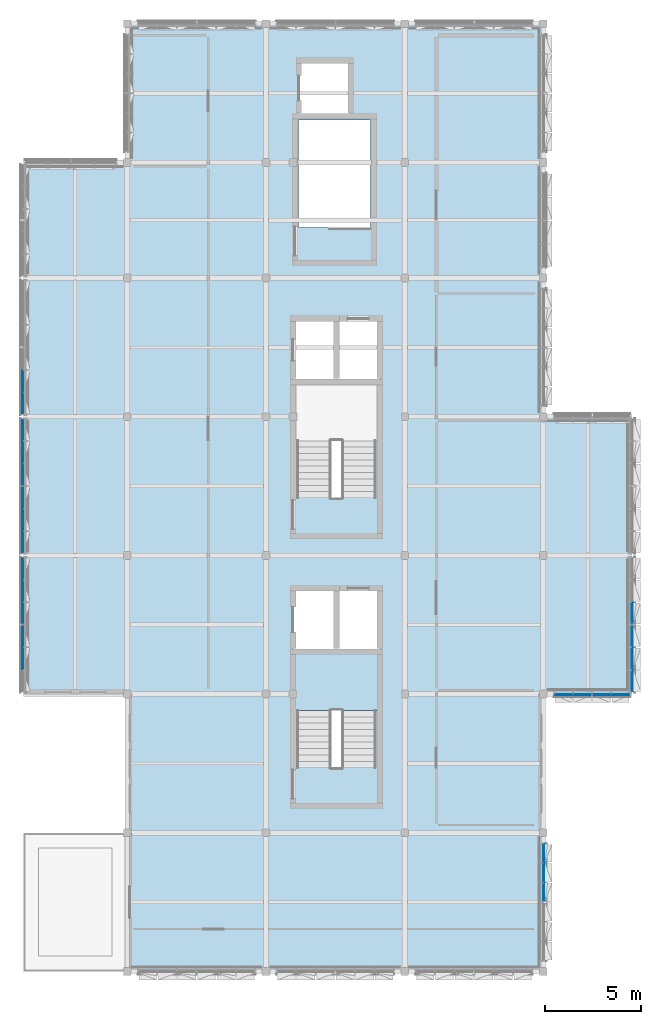
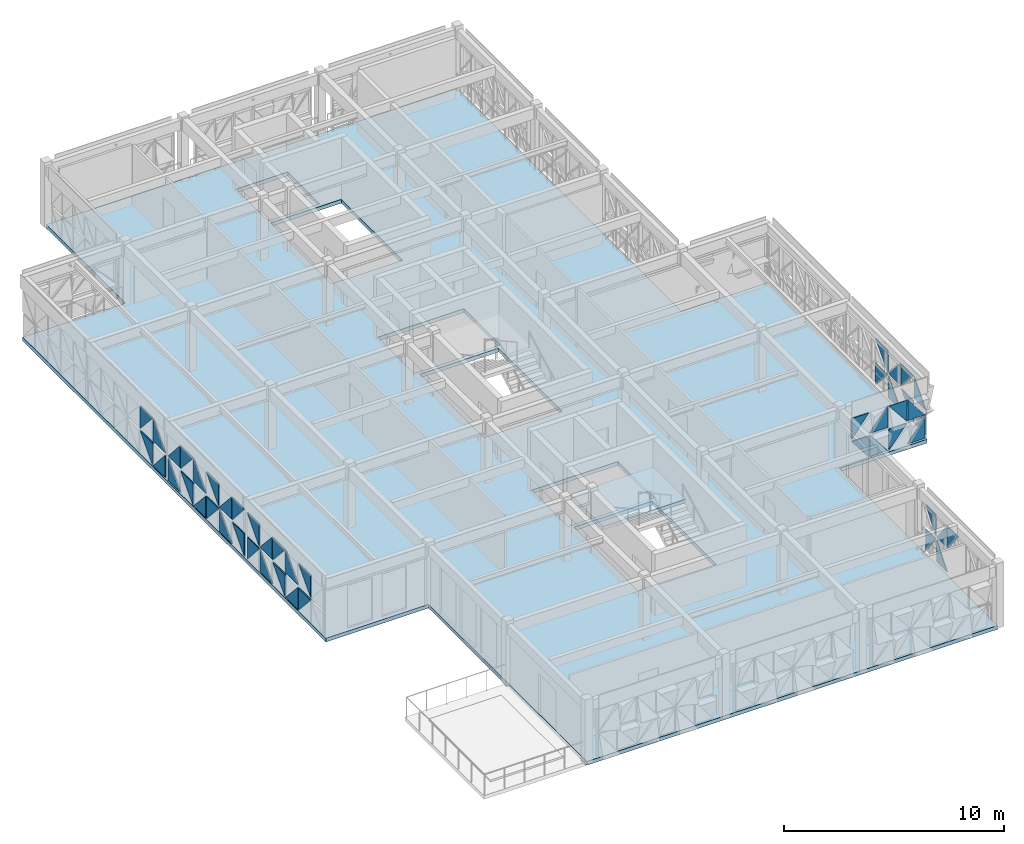
# One storey, part 12 of 25: 47 plates, 2 slabs, 7 elements without a shape of their own.
"""IFC4 building model written with IfcOpenShell, lengths in metres."""

from ifc_helpers import new_model, si_unit, direction, frame, origin, place, context, subcontext, project, spatial, polyline, outline, extrude, material, layer, layer_set, type_object, element, aggregate, save


model = new_model("IFC4")

# Units and contexts
model_context = context("Model", 3, precision=1e-05, world=origin(), true_north=direction((0.0, 1.0)))
body_context = subcontext(model_context, "Body", "Model", "MODEL_VIEW")
ifc_project = project(units=[si_unit("LENGTHUNIT", "METRE"), si_unit("AREAUNIT", "SQUARE_METRE"), si_unit("VOLUMEUNIT", "CUBIC_METRE"), si_unit("PLANEANGLEUNIT", "RADIAN"), si_unit("MASSUNIT", "GRAM", prefix="KILO")], contexts=[model_context])

# Site, building, storey
site_placement = place(None, origin())
site = spatial("IfcSite", under=ifc_project, at=site_placement, CompositionType="ELEMENT")
building_placement = place(site_placement, origin())
building = spatial("IfcBuilding", under=site, at=building_placement, Name="Alvorim Cloister Faculty of Sciences", CompositionType="ELEMENT")
storey_placement = place(building_placement, frame((0.0, 0.0, 29.699951171875)))
storey = spatial("IfcBuildingStorey", under=building, at=storey_placement, Name="L08", CompositionType="ELEMENT", Elevation=29.699951171875)

# Curtain wall, plates
ifc_material_1 = material(Name="Aluminium and Low-E Glass Curtain Wall", Category="aluminium")
curtain_wall_type_1 = type_object("IfcCurtainWallType", Name="CW-TRI-7040x2867", PredefinedType="USERDEFINED", material=ifc_material_1)
curtain_wall_1_placement = place(storey_placement, origin())
curtain_wall_1 = element("IfcCurtainWall", 1, at=curtain_wall_1_placement, inside=storey, type_object=curtain_wall_type_1, Name="L08 Diagonal Cassette Curtain Wall CW-0281", ObjectType="UNITISED CURTAIN WALL", PredefinedType="USERDEFINED")
ifc_material_2 = material(Name="Double Low-E Laminated Glass", Category="glass")
ifc_layer_1 = layer(ifc_material_2, 0.0400390625)
ifc_layer_set_1 = layer_set([ifc_layer_1], Name="Double Low-E Laminated Glass")
plate_type = type_object("IfcPlateType", Name="PN-GLZ-40", PredefinedType="CURTAIN_PANEL", material=ifc_layer_set_1)
plate_1_placement = place(storey_placement, frame((1.77490234375, 22.8857421875, 0.14013671875), z_axis=(0.0, 0.0, 1.0), x_axis=(0.0, 1.0, 0.0)))
plate_1 = element("IfcPlate", 2, at=plate_1_placement, type_object=plate_type, Name="Diagonal Glazed Triangle TRI-TR", PredefinedType="CURTAIN_PANEL", context=body_context, shape_type="SweptSolid", body=[
    extrude(outline(polyline([(1.1083984375, 0.001953125), (1.1083984375, 1.223388671875), (0.001953125, 1.223388671875), (1.1083984375, 0.001953125)])), frame((0.0, 0.02490234375, 0.0), z_axis=(0.0, -1.0, 0.0), x_axis=(1.0, 0.0, 0.0)), (0.0, 0.0, 1.0), 0.050048828125),
])
plate_2_placement = place(storey_placement, frame((1.77490234375, 22.8857421875, 1.503662109375), z_axis=(0.0, 0.0, 1.0), x_axis=(0.0, 1.0, 0.0)))
plate_2 = element("IfcPlate", 3, at=plate_2_placement, type_object=plate_type, Name="Diagonal Glazed Triangle TRI-TL", PredefinedType="CURTAIN_PANEL", context=body_context, shape_type="SweptSolid", body=[
    extrude(outline(polyline([(1.1064453125, 1.223388671875), (0.0, 1.223388671875), (0.0, 0.001953125), (1.1064453125, 1.223388671875)])), frame((0.0, 0.02490234375, 0.0), z_axis=(0.0, -1.0, 0.0), x_axis=(1.0, 0.0, 0.0)), (0.0, 0.0, 1.0), 0.050048828125),
])
plate_3_placement = place(storey_placement, frame((1.77490234375, 24.05908203125, 0.14013671875), z_axis=(0.0, 0.0, 1.0), x_axis=(0.0, 1.0, 0.0)))
plate_3 = element("IfcPlate", 4, at=plate_3_placement, type_object=plate_type, Name="Diagonal Glazed Triangle TRI-BL", PredefinedType="CURTAIN_PANEL", context=body_context, shape_type="SweptSolid", body=[
    extrude(outline(polyline([(0.0, 0.0), (1.1064453125, 0.0), (0.0, 1.221435546875), (0.0, 0.0)])), frame((0.0, 0.02490234375, 0.0), z_axis=(0.0, -1.0, 0.0), x_axis=(1.0, 0.0, 0.0)), (0.0, 0.0, 1.0), 0.050048828125),
])
plate_4_placement = place(storey_placement, frame((1.77490234375, 24.05908203125, 1.503662109375), z_axis=(0.0, 0.0, 1.0), x_axis=(0.0, 1.0, 0.0)))
plate_4 = element("IfcPlate", 5, at=plate_4_placement, type_object=plate_type, Name="Diagonal Glazed Triangle TRI-BR", PredefinedType="CURTAIN_PANEL", context=body_context, shape_type="SweptSolid", body=[
    extrude(outline(polyline([(0.001953125, 0.0), (1.1083984375, 0.0), (1.1083984375, 1.221435546875), (0.001953125, 0.0)])), frame((0.0, 0.02490234375, 0.0), z_axis=(0.0, -1.0, 0.0), x_axis=(1.0, 0.0, 0.0)), (0.0, 0.0, 1.0), 0.050048828125),
])
plate_5_placement = place(storey_placement, frame((1.77490234375, 25.232421875, 0.14013671875), z_axis=(0.0, 0.0, 1.0), x_axis=(0.0, 1.0, 0.0)))
plate_5 = element("IfcPlate", 6, at=plate_5_placement, type_object=plate_type, Name="Diagonal Glazed Triangle TRI-TL", PredefinedType="CURTAIN_PANEL", context=body_context, shape_type="SweptSolid", body=[
    extrude(outline(polyline([(1.1064453125, 1.223388671875), (0.0, 1.223388671875), (0.0, 0.001953125), (1.1064453125, 1.223388671875)])), frame((0.0, 0.02490234375, 0.0), z_axis=(0.0, -1.0, 0.0), x_axis=(1.0, 0.0, 0.0)), (0.0, 0.0, 1.0), 0.050048828125),
])
plate_6_placement = place(storey_placement, frame((1.77490234375, 25.232421875, 1.503662109375), z_axis=(0.0, 0.0, 1.0), x_axis=(0.0, 1.0, 0.0)))
plate_6 = element("IfcPlate", 7, at=plate_6_placement, type_object=plate_type, Name="Diagonal Glazed Triangle TRI-TR", PredefinedType="CURTAIN_PANEL", context=body_context, shape_type="SweptSolid", body=[
    extrude(outline(polyline([(1.1083984375, 0.001953125), (1.1083984375, 1.223388671875), (0.001953125, 1.223388671875), (1.1083984375, 0.001953125)])), frame((0.0, 0.02490234375, 0.0), z_axis=(0.0, -1.0, 0.0), x_axis=(1.0, 0.0, 0.0)), (0.0, 0.0, 1.0), 0.050048828125),
])
plate_7_placement = place(storey_placement, frame((1.77490234375, 26.40576171875, 0.14013671875), z_axis=(0.0, 0.0, 1.0), x_axis=(0.0, 1.0, 0.0)))
plate_7 = element("IfcPlate", 8, at=plate_7_placement, type_object=plate_type, Name="Diagonal Glazed Triangle TRI-BR", PredefinedType="CURTAIN_PANEL", context=body_context, shape_type="SweptSolid", body=[
    extrude(outline(polyline([(0.001953125, 0.0), (1.1083984375, 0.0), (1.1083984375, 1.221435546875), (0.001953125, 0.0)])), frame((0.0, 0.02490234375, 0.0), z_axis=(0.0, -1.0, 0.0), x_axis=(1.0, 0.0, 0.0)), (0.0, 0.0, 1.0), 0.050048828125),
])
plate_8_placement = place(storey_placement, frame((1.77490234375, 26.40576171875, 1.503662109375), z_axis=(0.0, 0.0, 1.0), x_axis=(0.0, 1.0, 0.0)))
plate_8 = element("IfcPlate", 9, at=plate_8_placement, type_object=plate_type, Name="Diagonal Glazed Triangle TRI-BL", PredefinedType="CURTAIN_PANEL", context=body_context, shape_type="SweptSolid", body=[
    extrude(outline(polyline([(0.0, 0.0), (1.1064453125, 0.0), (0.0, 1.221435546875), (0.0, 0.0)])), frame((0.0, 0.02490234375, 0.0), z_axis=(0.0, -1.0, 0.0), x_axis=(1.0, 0.0, 0.0)), (0.0, 0.0, 1.0), 0.050048828125),
])
plate_9_placement = place(storey_placement, frame((1.77490234375, 27.5791015625, 0.14013671875), z_axis=(0.0, 0.0, 1.0), x_axis=(0.0, 1.0, 0.0)))
plate_9 = element("IfcPlate", 10, at=plate_9_placement, type_object=plate_type, Name="Diagonal Glazed Triangle TRI-TR", PredefinedType="CURTAIN_PANEL", context=body_context, shape_type="SweptSolid", body=[
    extrude(outline(polyline([(1.075927734375, 0.001953125), (1.075927734375, 1.223388671875), (0.001953125, 1.223388671875), (1.075927734375, 0.001953125)])), frame((0.0, 0.02490234375, 0.0), z_axis=(0.0, -1.0, 0.0), x_axis=(1.0, 0.0, 0.0)), (0.0, 0.0, 1.0), 0.050048828125),
])
plate_10_placement = place(storey_placement, frame((1.77490234375, 27.5791015625, 1.503662109375), z_axis=(0.0, 0.0, 1.0), x_axis=(0.0, 1.0, 0.0)))
plate_10 = element("IfcPlate", 11, at=plate_10_placement, type_object=plate_type, Name="Diagonal Glazed Triangle TRI-TL", PredefinedType="CURTAIN_PANEL", context=body_context, shape_type="SweptSolid", body=[
    extrude(outline(polyline([(1.073974609375, 1.223388671875), (0.0, 1.223388671875), (0.0, 0.001953125), (1.073974609375, 1.223388671875)])), frame((0.0, 0.02490234375, 0.0), z_axis=(0.0, -1.0, 0.0), x_axis=(1.0, 0.0, 0.0)), (0.0, 0.0, 1.0), 0.050048828125),
])
aggregate(curtain_wall_1, [plate_1, plate_2, plate_3, plate_4, plate_5, plate_6, plate_7, plate_8, plate_9, plate_10])

curtain_wall_2_placement = place(storey_placement, origin())
curtain_wall_2 = element("IfcCurtainWall", 12, at=curtain_wall_2_placement, inside=storey, type_object=curtain_wall_type_1, Name="L08 Diagonal Cassette Curtain Wall CW-0282", ObjectType="UNITISED CURTAIN WALL", PredefinedType="USERDEFINED")
plate_11_placement = place(storey_placement, frame((1.77490234375, 28.945068359375, 0.14013671875), z_axis=(0.0, 0.0, 1.0), x_axis=(0.0, 1.0, 0.0)))
plate_11 = element("IfcPlate", 13, at=plate_11_placement, type_object=plate_type, Name="Diagonal Glazed Triangle TRI-TL", PredefinedType="CURTAIN_PANEL", context=body_context, shape_type="SweptSolid", body=[
    extrude(outline(polyline([(1.073974609375, 1.223388671875), (0.0, 1.223388671875), (0.0, 0.001953125), (1.073974609375, 1.223388671875)])), frame((0.0, 0.02490234375, 0.0), z_axis=(0.0, -1.0, 0.0), x_axis=(1.0, 0.0, 0.0)), (0.0, 0.0, 1.0), 0.050048828125),
])
plate_12_placement = place(storey_placement, frame((1.77490234375, 28.945068359375, 1.503662109375), z_axis=(0.0, 0.0, 1.0), x_axis=(0.0, 1.0, 0.0)))
plate_12 = element("IfcPlate", 14, at=plate_12_placement, type_object=plate_type, Name="Diagonal Glazed Triangle TRI-TR", PredefinedType="CURTAIN_PANEL", context=body_context, shape_type="SweptSolid", body=[
    extrude(outline(polyline([(1.075927734375, 0.001953125), (1.075927734375, 1.223388671875), (0.001953125, 1.223388671875), (1.075927734375, 0.001953125)])), frame((0.0, 0.02490234375, 0.0), z_axis=(0.0, -1.0, 0.0), x_axis=(1.0, 0.0, 0.0)), (0.0, 0.0, 1.0), 0.050048828125),
])
plate_13_placement = place(storey_placement, frame((1.77490234375, 30.0859375, 0.14013671875), z_axis=(0.0, 0.0, 1.0), x_axis=(0.0, 1.0, 0.0)))
plate_13 = element("IfcPlate", 15, at=plate_13_placement, type_object=plate_type, Name="Diagonal Glazed Triangle TRI-BR", PredefinedType="CURTAIN_PANEL", context=body_context, shape_type="SweptSolid", body=[
    extrude(outline(polyline([(0.001953125, 0.0), (1.1083984375, 0.0), (1.1083984375, 1.221435546875), (0.001953125, 0.0)])), frame((0.0, 0.02490234375, 0.0), z_axis=(0.0, -1.0, 0.0), x_axis=(1.0, 0.0, 0.0)), (0.0, 0.0, 1.0), 0.050048828125),
])
plate_14_placement = place(storey_placement, frame((1.77490234375, 30.0859375, 1.503662109375), z_axis=(0.0, 0.0, 1.0), x_axis=(0.0, 1.0, 0.0)))
plate_14 = element("IfcPlate", 16, at=plate_14_placement, type_object=plate_type, Name="Diagonal Glazed Triangle TRI-BL", PredefinedType="CURTAIN_PANEL", context=body_context, shape_type="SweptSolid", body=[
    extrude(outline(polyline([(0.0, 0.0), (1.1064453125, 0.0), (0.0, 1.221435546875), (0.0, 0.0)])), frame((0.0, 0.02490234375, 0.0), z_axis=(0.0, -1.0, 0.0), x_axis=(1.0, 0.0, 0.0)), (0.0, 0.0, 1.0), 0.050048828125),
])
plate_15_placement = place(storey_placement, frame((1.77490234375, 31.25927734375, 0.14013671875), z_axis=(0.0, 0.0, 1.0), x_axis=(0.0, 1.0, 0.0)))
plate_15 = element("IfcPlate", 17, at=plate_15_placement, type_object=plate_type, Name="Diagonal Glazed Triangle TRI-TR", PredefinedType="CURTAIN_PANEL", context=body_context, shape_type="SweptSolid", body=[
    extrude(outline(polyline([(1.1083984375, 0.001953125), (1.1083984375, 1.223388671875), (0.001953125, 1.223388671875), (1.1083984375, 0.001953125)])), frame((0.0, 0.02490234375, 0.0), z_axis=(0.0, -1.0, 0.0), x_axis=(1.0, 0.0, 0.0)), (0.0, 0.0, 1.0), 0.050048828125),
])
plate_16_placement = place(storey_placement, frame((1.77490234375, 31.25927734375, 1.503662109375), z_axis=(0.0, 0.0, 1.0), x_axis=(0.0, 1.0, 0.0)))
plate_16 = element("IfcPlate", 18, at=plate_16_placement, type_object=plate_type, Name="Diagonal Glazed Triangle TRI-TL", PredefinedType="CURTAIN_PANEL", context=body_context, shape_type="SweptSolid", body=[
    extrude(outline(polyline([(1.1064453125, 1.223388671875), (0.0, 1.223388671875), (0.0, 0.001953125), (1.1064453125, 1.223388671875)])), frame((0.0, 0.02490234375, 0.0), z_axis=(0.0, -1.0, 0.0), x_axis=(1.0, 0.0, 0.0)), (0.0, 0.0, 1.0), 0.050048828125),
])
plate_17_placement = place(storey_placement, frame((1.77490234375, 32.4326171875, 0.14013671875), z_axis=(0.0, 0.0, 1.0), x_axis=(0.0, 1.0, 0.0)))
plate_17 = element("IfcPlate", 19, at=plate_17_placement, type_object=plate_type, Name="Diagonal Glazed Triangle TRI-BL", PredefinedType="CURTAIN_PANEL", context=body_context, shape_type="SweptSolid", body=[
    extrude(outline(polyline([(0.0, 0.0), (1.1064453125, 0.0), (0.0, 1.221435546875), (0.0, 0.0)])), frame((0.0, 0.02490234375, 0.0), z_axis=(0.0, -1.0, 0.0), x_axis=(1.0, 0.0, 0.0)), (0.0, 0.0, 1.0), 0.050048828125),
])
plate_18_placement = place(storey_placement, frame((1.77490234375, 32.4326171875, 1.503662109375), z_axis=(0.0, 0.0, 1.0), x_axis=(0.0, 1.0, 0.0)))
plate_18 = element("IfcPlate", 20, at=plate_18_placement, type_object=plate_type, Name="Diagonal Glazed Triangle TRI-BR", PredefinedType="CURTAIN_PANEL", context=body_context, shape_type="SweptSolid", body=[
    extrude(outline(polyline([(0.001953125, 0.0), (1.1083984375, 0.0), (1.1083984375, 1.221435546875), (0.001953125, 0.0)])), frame((0.0, 0.02490234375, 0.0), z_axis=(0.0, -1.0, 0.0), x_axis=(1.0, 0.0, 0.0)), (0.0, 0.0, 1.0), 0.050048828125),
])
plate_19_placement = place(storey_placement, frame((1.77490234375, 33.605712890625, 0.14013671875), z_axis=(0.0, 0.0, 1.0), x_axis=(0.0, 1.0, 0.0)))
plate_19 = element("IfcPlate", 21, at=plate_19_placement, type_object=plate_type, Name="Diagonal Glazed Triangle TRI-TL", PredefinedType="CURTAIN_PANEL", context=body_context, shape_type="SweptSolid", body=[
    extrude(outline(polyline([(1.1064453125, 1.223388671875), (0.0, 1.223388671875), (0.0, 0.001953125), (1.1064453125, 1.223388671875)])), frame((0.0, 0.02490234375, 0.0), z_axis=(0.0, -1.0, 0.0), x_axis=(1.0, 0.0, 0.0)), (0.0, 0.0, 1.0), 0.050048828125),
])
plate_20_placement = place(storey_placement, frame((1.77490234375, 33.605712890625, 1.503662109375), z_axis=(0.0, 0.0, 1.0), x_axis=(0.0, 1.0, 0.0)))
plate_20 = element("IfcPlate", 22, at=plate_20_placement, type_object=plate_type, Name="Diagonal Glazed Triangle TRI-TR", PredefinedType="CURTAIN_PANEL", context=body_context, shape_type="SweptSolid", body=[
    extrude(outline(polyline([(1.1083984375, 0.001953125), (1.1083984375, 1.223388671875), (0.001953125, 1.223388671875), (1.1083984375, 0.001953125)])), frame((0.0, 0.02490234375, 0.0), z_axis=(0.0, -1.0, 0.0), x_axis=(1.0, 0.0, 0.0)), (0.0, 0.0, 1.0), 0.050048828125),
])
plate_21_placement = place(storey_placement, frame((1.77490234375, 34.779052734375, 0.14013671875), z_axis=(0.0, 0.0, 1.0), x_axis=(0.0, 1.0, 0.0)))
plate_21 = element("IfcPlate", 23, at=plate_21_placement, type_object=plate_type, Name="Diagonal Glazed Triangle TRI-BR", PredefinedType="CURTAIN_PANEL", context=body_context, shape_type="SweptSolid", body=[
    extrude(outline(polyline([(0.001953125, 0.0), (1.075927734375, 0.0), (1.075927734375, 1.221435546875), (0.001953125, 0.0)])), frame((0.0, 0.02490234375, 0.0), z_axis=(0.0, -1.0, 0.0), x_axis=(1.0, 0.0, 0.0)), (0.0, 0.0, 1.0), 0.050048828125),
])
plate_22_placement = place(storey_placement, frame((1.77490234375, 34.779052734375, 1.503662109375), z_axis=(0.0, 0.0, 1.0), x_axis=(0.0, 1.0, 0.0)))
plate_22 = element("IfcPlate", 24, at=plate_22_placement, type_object=plate_type, Name="Diagonal Glazed Triangle TRI-BL", PredefinedType="CURTAIN_PANEL", context=body_context, shape_type="SweptSolid", body=[
    extrude(outline(polyline([(0.0, 0.0), (1.073974609375, 0.0), (0.0, 1.221435546875), (0.0, 0.0)])), frame((0.0, 0.02490234375, 0.0), z_axis=(0.0, -1.0, 0.0), x_axis=(1.0, 0.0, 0.0)), (0.0, 0.0, 1.0), 0.050048828125),
])
aggregate(curtain_wall_2, [plate_11, plate_12, plate_13, plate_14, plate_15, plate_16, plate_17, plate_18, plate_19, plate_20, plate_21, plate_22])

curtain_wall_3_placement = place(storey_placement, origin())
curtain_wall_3 = element("IfcCurtainWall", 25, at=curtain_wall_3_placement, inside=storey, type_object=curtain_wall_type_1, Name="L08 Diagonal Cassette Curtain Wall CW-0283", ObjectType="UNITISED CURTAIN WALL", PredefinedType="USERDEFINED")
plate_23_placement = place(storey_placement, frame((1.77490234375, 36.14501953125, 0.14013671875), z_axis=(0.0, 0.0, 1.0), x_axis=(0.0, 1.0, 0.0)))
plate_23 = element("IfcPlate", 26, at=plate_23_placement, type_object=plate_type, Name="Diagonal Glazed Triangle TRI-BL", PredefinedType="CURTAIN_PANEL", context=body_context, shape_type="SweptSolid", body=[
    extrude(outline(polyline([(0.0, 0.0), (1.073974609375, 0.0), (0.0, 1.221435546875), (0.0, 0.0)])), frame((0.0, 0.02490234375, 0.0), z_axis=(0.0, -1.0, 0.0), x_axis=(1.0, 0.0, 0.0)), (0.0, 0.0, 1.0), 0.050048828125),
])
plate_24_placement = place(storey_placement, frame((1.77490234375, 36.14501953125, 1.503662109375), z_axis=(0.0, 0.0, 1.0), x_axis=(0.0, 1.0, 0.0)))
plate_24 = element("IfcPlate", 27, at=plate_24_placement, type_object=plate_type, Name="Diagonal Glazed Triangle TRI-BR", PredefinedType="CURTAIN_PANEL", context=body_context, shape_type="SweptSolid", body=[
    extrude(outline(polyline([(0.001953125, 0.0), (1.075927734375, 0.0), (1.075927734375, 1.221435546875), (0.001953125, 0.0)])), frame((0.0, 0.02490234375, 0.0), z_axis=(0.0, -1.0, 0.0), x_axis=(1.0, 0.0, 0.0)), (0.0, 0.0, 1.0), 0.050048828125),
])
plate_25_placement = place(storey_placement, frame((1.77490234375, 37.285888671875, 0.14013671875), z_axis=(0.0, 0.0, 1.0), x_axis=(0.0, 1.0, 0.0)))
plate_25 = element("IfcPlate", 28, at=plate_25_placement, type_object=plate_type, Name="Diagonal Glazed Triangle TRI-TL", PredefinedType="CURTAIN_PANEL", context=body_context, shape_type="SweptSolid", body=[
    extrude(outline(polyline([(1.1064453125, 1.223388671875), (0.0, 1.223388671875), (0.0, 0.001953125), (1.1064453125, 1.223388671875)])), frame((0.0, 0.02490234375, 0.0), z_axis=(0.0, -1.0, 0.0), x_axis=(1.0, 0.0, 0.0)), (0.0, 0.0, 1.0), 0.050048828125),
])
plate_26_placement = place(storey_placement, frame((1.77490234375, 37.285888671875, 1.503662109375), z_axis=(0.0, 0.0, 1.0), x_axis=(0.0, 1.0, 0.0)))
plate_26 = element("IfcPlate", 29, at=plate_26_placement, type_object=plate_type, Name="Diagonal Glazed Triangle TRI-TR", PredefinedType="CURTAIN_PANEL", context=body_context, shape_type="SweptSolid", body=[
    extrude(outline(polyline([(1.1083984375, 0.001953125), (1.1083984375, 1.223388671875), (0.001953125, 1.223388671875), (1.1083984375, 0.001953125)])), frame((0.0, 0.02490234375, 0.0), z_axis=(0.0, -1.0, 0.0), x_axis=(1.0, 0.0, 0.0)), (0.0, 0.0, 1.0), 0.050048828125),
])
aggregate(curtain_wall_3, [plate_23, plate_24, plate_25, plate_26])

curtain_wall_4_placement = place(storey_placement, origin())
curtain_wall_4 = element("IfcCurtainWall", 30, at=curtain_wall_4_placement, inside=storey, type_object=curtain_wall_type_1, Name="L08 Diagonal Cassette Curtain Wall CW-0295", ObjectType="UNITISED CURTAIN WALL", PredefinedType="USERDEFINED")
plate_27_placement = place(storey_placement, frame((33.425048828125, 21.7451171875, 0.14013671875), z_axis=(0.0, 0.0, 1.0), x_axis=(0.0, 1.0, 0.0)))
plate_27 = element("IfcPlate", 31, at=plate_27_placement, type_object=plate_type, Name="Diagonal Glazed Triangle TRI-BL", PredefinedType="CURTAIN_PANEL", context=body_context, shape_type="SweptSolid", body=[
    extrude(outline(polyline([(0.0, 0.0), (1.073974609375, 0.0), (0.0, 1.221435546875), (0.0, 0.0)])), frame((0.0, 0.02490234375, 0.0), z_axis=(0.0, -1.0, 0.0), x_axis=(1.0, 0.0, 0.0)), (0.0, 0.0, 1.0), 0.050048828125),
])
plate_28_placement = place(storey_placement, frame((33.425048828125, 21.7451171875, 1.503662109375), z_axis=(0.0, 0.0, 1.0), x_axis=(0.0, 1.0, 0.0)))
plate_28 = element("IfcPlate", 32, at=plate_28_placement, type_object=plate_type, Name="Diagonal Glazed Triangle TRI-BR", PredefinedType="CURTAIN_PANEL", context=body_context, shape_type="SweptSolid", body=[
    extrude(outline(polyline([(0.001953125, 0.0), (1.075927734375, 0.0), (1.075927734375, 1.221435546875), (0.001953125, 0.0)])), frame((0.0, 0.02490234375, 0.0), z_axis=(0.0, -1.0, 0.0), x_axis=(1.0, 0.0, 0.0)), (0.0, 0.0, 1.0), 0.050048828125),
])
plate_29_placement = place(storey_placement, frame((33.425048828125, 22.8857421875, 0.14013671875), z_axis=(0.0, 0.0, 1.0), x_axis=(0.0, 1.0, 0.0)))
plate_29 = element("IfcPlate", 33, at=plate_29_placement, type_object=plate_type, Name="Diagonal Glazed Triangle TRI-TL", PredefinedType="CURTAIN_PANEL", context=body_context, shape_type="SweptSolid", body=[
    extrude(outline(polyline([(1.1064453125, 1.223388671875), (0.0, 1.223388671875), (0.0, 0.001953125), (1.1064453125, 1.223388671875)])), frame((0.0, 0.02490234375, 0.0), z_axis=(0.0, -1.0, 0.0), x_axis=(1.0, 0.0, 0.0)), (0.0, 0.0, 1.0), 0.050048828125),
])
plate_30_placement = place(storey_placement, frame((33.425048828125, 22.8857421875, 1.503662109375), z_axis=(0.0, 0.0, 1.0), x_axis=(0.0, 1.0, 0.0)))
plate_30 = element("IfcPlate", 34, at=plate_30_placement, type_object=plate_type, Name="Diagonal Glazed Triangle TRI-TR", PredefinedType="CURTAIN_PANEL", context=body_context, shape_type="SweptSolid", body=[
    extrude(outline(polyline([(1.1083984375, 0.001953125), (1.1083984375, 1.223388671875), (0.001953125, 1.223388671875), (1.1083984375, 0.001953125)])), frame((0.0, 0.02490234375, 0.0), z_axis=(0.0, -1.0, 0.0), x_axis=(1.0, 0.0, 0.0)), (0.0, 0.0, 1.0), 0.050048828125),
])
plate_31_placement = place(storey_placement, frame((33.425048828125, 24.05908203125, 0.14013671875), z_axis=(0.0, 0.0, 1.0), x_axis=(0.0, 1.0, 0.0)))
plate_31 = element("IfcPlate", 35, at=plate_31_placement, type_object=plate_type, Name="Diagonal Glazed Triangle TRI-BR", PredefinedType="CURTAIN_PANEL", context=body_context, shape_type="SweptSolid", body=[
    extrude(outline(polyline([(0.001953125, 0.0), (1.1083984375, 0.0), (1.1083984375, 1.221435546875), (0.001953125, 0.0)])), frame((0.0, 0.02490234375, 0.0), z_axis=(0.0, -1.0, 0.0), x_axis=(1.0, 0.0, 0.0)), (0.0, 0.0, 1.0), 0.050048828125),
])
plate_32_placement = place(storey_placement, frame((33.425048828125, 24.05908203125, 1.503662109375), z_axis=(0.0, 0.0, 1.0), x_axis=(0.0, 1.0, 0.0)))
plate_32 = element("IfcPlate", 36, at=plate_32_placement, type_object=plate_type, Name="Diagonal Glazed Triangle TRI-BL", PredefinedType="CURTAIN_PANEL", context=body_context, shape_type="SweptSolid", body=[
    extrude(outline(polyline([(0.0, 0.0), (1.1064453125, 0.0), (0.0, 1.221435546875), (0.0, 0.0)])), frame((0.0, 0.02490234375, 0.0), z_axis=(0.0, -1.0, 0.0), x_axis=(1.0, 0.0, 0.0)), (0.0, 0.0, 1.0), 0.050048828125),
])
plate_33_placement = place(storey_placement, frame((33.425048828125, 25.232421875, 0.14013671875), z_axis=(0.0, 0.0, 1.0), x_axis=(0.0, 1.0, 0.0)))
plate_33 = element("IfcPlate", 37, at=plate_33_placement, type_object=plate_type, Name="Diagonal Glazed Triangle TRI-TR", PredefinedType="CURTAIN_PANEL", context=body_context, shape_type="SweptSolid", body=[
    extrude(outline(polyline([(1.1083984375, 0.001953125), (1.1083984375, 1.223388671875), (0.001953125, 1.223388671875), (1.1083984375, 0.001953125)])), frame((0.0, 0.02490234375, 0.0), z_axis=(0.0, -1.0, 0.0), x_axis=(1.0, 0.0, 0.0)), (0.0, 0.0, 1.0), 0.050048828125),
])
plate_34_placement = place(storey_placement, frame((33.425048828125, 25.232421875, 1.503662109375), z_axis=(0.0, 0.0, 1.0), x_axis=(0.0, 1.0, 0.0)))
plate_34 = element("IfcPlate", 38, at=plate_34_placement, type_object=plate_type, Name="Diagonal Glazed Triangle TRI-TL", PredefinedType="CURTAIN_PANEL", context=body_context, shape_type="SweptSolid", body=[
    extrude(outline(polyline([(1.1064453125, 1.223388671875), (0.0, 1.223388671875), (0.0, 0.001953125), (1.1064453125, 1.223388671875)])), frame((0.0, 0.02490234375, 0.0), z_axis=(0.0, -1.0, 0.0), x_axis=(1.0, 0.0, 0.0)), (0.0, 0.0, 1.0), 0.050048828125),
])
aggregate(curtain_wall_4, [plate_27, plate_28, plate_29, plate_30, plate_31, plate_32, plate_33, plate_34])

curtain_wall_type_2 = type_object("IfcCurtainWallType", Name="CW-TRI-3980x2716", PredefinedType="USERDEFINED", material=ifc_material_1)
curtain_wall_5_placement = place(storey_placement, origin())
curtain_wall_5 = element("IfcCurtainWall", 39, at=curtain_wall_5_placement, inside=storey, type_object=curtain_wall_type_2, Name="L08 Diagonal Cassette Curtain Wall CW-0296", ObjectType="UNITISED CURTAIN WALL", PredefinedType="USERDEFINED")
plate_35_placement = place(storey_placement, frame((29.405029296875, 21.574951171875, 0.14013671875), z_axis=(0.0, 0.0, 1.0), x_axis=(1.0, 0.0, 0.0)))
plate_35 = element("IfcPlate", 40, at=plate_35_placement, type_object=plate_type, Name="Diagonal Glazed Triangle TRI-TR", PredefinedType="CURTAIN_PANEL", context=body_context, shape_type="SweptSolid", body=[
    extrude(outline(polyline([(0.8974609375, 0.001953125), (0.8974609375, 1.14794921875), (0.001953125, 1.14794921875), (0.8974609375, 0.001953125)])), frame((0.0, 0.02490234375, 0.0), z_axis=(0.0, -1.0, 0.0), x_axis=(1.0, 0.0, 0.0)), (0.0, 0.0, 1.0), 0.050048828125),
])
plate_36_placement = place(storey_placement, frame((29.405029296875, 21.574951171875, 1.427978515625), z_axis=(0.0, 0.0, 1.0), x_axis=(1.0, 0.0, 0.0)))
plate_36 = element("IfcPlate", 41, at=plate_36_placement, type_object=plate_type, Name="Diagonal Glazed Triangle TRI-TL", PredefinedType="CURTAIN_PANEL", context=body_context, shape_type="SweptSolid", body=[
    extrude(outline(polyline([(0.8955078125, 1.14794921875), (0.0, 1.14794921875), (0.0, 0.001953125), (0.8955078125, 1.14794921875)])), frame((0.0, 0.02490234375, 0.0), z_axis=(0.0, -1.0, 0.0), x_axis=(1.0, 0.0, 0.0)), (0.0, 0.0, 1.0), 0.050048828125),
])
plate_37_placement = place(storey_placement, frame((30.367431640625, 21.574951171875, 0.14013671875), z_axis=(0.0, 0.0, 1.0), x_axis=(1.0, 0.0, 0.0)))
plate_37 = element("IfcPlate", 42, at=plate_37_placement, type_object=plate_type, Name="Diagonal Glazed Triangle TRI-BL", PredefinedType="CURTAIN_PANEL", context=body_context, shape_type="SweptSolid", body=[
    extrude(outline(polyline([(0.0, 0.0), (0.927978515625, 0.0), (0.0, 1.14599609375), (0.0, 0.0)])), frame((0.0, 0.02490234375, 0.0), z_axis=(0.0, -1.0, 0.0), x_axis=(1.0, 0.0, 0.0)), (0.0, 0.0, 1.0), 0.050048828125),
])
plate_38_placement = place(storey_placement, frame((30.367431640625, 21.574951171875, 1.427978515625), z_axis=(0.0, 0.0, 1.0), x_axis=(1.0, 0.0, 0.0)))
plate_38 = element("IfcPlate", 43, at=plate_38_placement, type_object=plate_type, Name="Diagonal Glazed Triangle TRI-BR", PredefinedType="CURTAIN_PANEL", context=body_context, shape_type="SweptSolid", body=[
    extrude(outline(polyline([(0.001953125, 0.0), (0.929931640625, 0.0), (0.929931640625, 1.14599609375), (0.001953125, 0.0)])), frame((0.0, 0.02490234375, 0.0), z_axis=(0.0, -1.0, 0.0), x_axis=(1.0, 0.0, 0.0)), (0.0, 0.0, 1.0), 0.050048828125),
])
plate_39_placement = place(storey_placement, frame((31.362548828125, 21.574951171875, 0.14013671875), z_axis=(0.0, 0.0, 1.0), x_axis=(1.0, 0.0, 0.0)))
plate_39 = element("IfcPlate", 44, at=plate_39_placement, type_object=plate_type, Name="Diagonal Glazed Triangle TRI-TL", PredefinedType="CURTAIN_PANEL", context=body_context, shape_type="SweptSolid", body=[
    extrude(outline(polyline([(0.927978515625, 1.14794921875), (0.0, 1.14794921875), (0.0, 0.001953125), (0.927978515625, 1.14794921875)])), frame((0.0, 0.02490234375, 0.0), z_axis=(0.0, -1.0, 0.0), x_axis=(1.0, 0.0, 0.0)), (0.0, 0.0, 1.0), 0.050048828125),
])
plate_40_placement = place(storey_placement, frame((31.362548828125, 21.574951171875, 1.427978515625), z_axis=(0.0, 0.0, 1.0), x_axis=(1.0, 0.0, 0.0)))
plate_40 = element("IfcPlate", 45, at=plate_40_placement, type_object=plate_type, Name="Diagonal Glazed Triangle TRI-TR", PredefinedType="CURTAIN_PANEL", context=body_context, shape_type="SweptSolid", body=[
    extrude(outline(polyline([(0.929931640625, 0.001953125), (0.929931640625, 1.14794921875), (0.001953125, 1.14794921875), (0.929931640625, 0.001953125)])), frame((0.0, 0.02490234375, 0.0), z_axis=(0.0, -1.0, 0.0), x_axis=(1.0, 0.0, 0.0)), (0.0, 0.0, 1.0), 0.050048828125),
])
plate_41_placement = place(storey_placement, frame((32.357421875, 21.574951171875, 0.14013671875), z_axis=(0.0, 0.0, 1.0), x_axis=(1.0, 0.0, 0.0)))
plate_41 = element("IfcPlate", 46, at=plate_41_placement, type_object=plate_type, Name="Diagonal Glazed Triangle TRI-BR", PredefinedType="CURTAIN_PANEL", context=body_context, shape_type="SweptSolid", body=[
    extrude(outline(polyline([(0.001953125, 0.0), (0.8974609375, 0.0), (0.8974609375, 1.14599609375), (0.001953125, 0.0)])), frame((0.0, 0.02490234375, 0.0), z_axis=(0.0, -1.0, 0.0), x_axis=(1.0, 0.0, 0.0)), (0.0, 0.0, 1.0), 0.050048828125),
])
plate_42_placement = place(storey_placement, frame((32.357421875, 21.574951171875, 1.427978515625), z_axis=(0.0, 0.0, 1.0), x_axis=(1.0, 0.0, 0.0)))
plate_42 = element("IfcPlate", 47, at=plate_42_placement, type_object=plate_type, Name="Diagonal Glazed Triangle TRI-BL", PredefinedType="CURTAIN_PANEL", context=body_context, shape_type="SweptSolid", body=[
    extrude(outline(polyline([(0.0, 0.0), (0.8955078125, 0.0), (0.0, 1.14599609375), (0.0, 0.0)])), frame((0.0, 0.02490234375, 0.0), z_axis=(0.0, -1.0, 0.0), x_axis=(1.0, 0.0, 0.0)), (0.0, 0.0, 1.0), 0.050048828125),
])
aggregate(curtain_wall_5, [plate_35, plate_36, plate_37, plate_38, plate_39, plate_40, plate_41, plate_42])

curtain_wall_type_3 = type_object("IfcCurtainWallType", Name="CW-TRI-6120x2860", PredefinedType="USERDEFINED", material=ifc_material_1)
curtain_wall_6_placement = place(storey_placement, origin())
curtain_wall_6 = element("IfcCurtainWall", 48, at=curtain_wall_6_placement, inside=storey, type_object=curtain_wall_type_3, Name="L08 Diagonal Cassette Curtain Wall CW-0297", ObjectType="UNITISED CURTAIN WALL", PredefinedType="USERDEFINED")
plate_43_placement = place(storey_placement, frame((28.824951171875, 10.83251953125, 1.5), z_axis=(0.0, 0.0, 1.0), x_axis=(0.0, 1.0, 0.0)))
plate_43 = element("IfcPlate", 49, at=plate_43_placement, type_object=plate_type, Name="Diagonal Glazed Triangle TRI-TR", PredefinedType="CURTAIN_PANEL", context=body_context, shape_type="SweptSolid", body=[
    extrude(outline(polyline([(0.955078125, 0.001953125), (0.955078125, 1.219970703125), (0.001953125, 1.219970703125), (0.955078125, 0.001953125)])), frame((0.0, 0.02490234375, 0.0), z_axis=(0.0, -1.0, 0.0), x_axis=(1.0, 0.0, 0.0)), (0.0, 0.0, 1.0), 0.050048828125),
])
plate_44_placement = place(storey_placement, frame((28.824951171875, 11.8525390625, 0.14013671875), z_axis=(0.0, 0.0, 1.0), x_axis=(0.0, 1.0, 0.0)))
plate_44 = element("IfcPlate", 50, at=plate_44_placement, type_object=plate_type, Name="Diagonal Glazed Triangle TRI-BR", PredefinedType="CURTAIN_PANEL", context=body_context, shape_type="SweptSolid", body=[
    extrude(outline(polyline([(0.001953125, 0.0), (0.955078125, 0.0), (0.955078125, 1.218017578125), (0.001953125, 0.0)])), frame((0.0, 0.02490234375, 0.0), z_axis=(0.0, -1.0, 0.0), x_axis=(1.0, 0.0, 0.0)), (0.0, 0.0, 1.0), 0.050048828125),
])
plate_45_placement = place(storey_placement, frame((28.824951171875, 11.8525390625, 1.5), z_axis=(0.0, 0.0, 1.0), x_axis=(0.0, 1.0, 0.0)))
plate_45 = element("IfcPlate", 51, at=plate_45_placement, type_object=plate_type, Name="Diagonal Glazed Triangle TRI-BL", PredefinedType="CURTAIN_PANEL", context=body_context, shape_type="SweptSolid", body=[
    extrude(outline(polyline([(0.0, 0.0), (0.953125, 0.0), (0.0, 1.218017578125), (0.0, 0.0)])), frame((0.0, 0.02490234375, 0.0), z_axis=(0.0, -1.0, 0.0), x_axis=(1.0, 0.0, 0.0)), (0.0, 0.0, 1.0), 0.050048828125),
])
plate_46_placement = place(storey_placement, frame((28.824951171875, 12.87255859375, 0.14013671875), z_axis=(0.0, 0.0, 1.0), x_axis=(0.0, 1.0, 0.0)))
plate_46 = element("IfcPlate", 52, at=plate_46_placement, type_object=plate_type, Name="Diagonal Glazed Triangle TRI-TR", PredefinedType="CURTAIN_PANEL", context=body_context, shape_type="SweptSolid", body=[
    extrude(outline(polyline([(0.922607421875, 0.001953125), (0.922607421875, 1.219970703125), (0.001953125, 1.219970703125), (0.922607421875, 0.001953125)])), frame((0.0, 0.02490234375, 0.0), z_axis=(0.0, -1.0, 0.0), x_axis=(1.0, 0.0, 0.0)), (0.0, 0.0, 1.0), 0.050048828125),
])
plate_47_placement = place(storey_placement, frame((28.824951171875, 12.87255859375, 1.5), z_axis=(0.0, 0.0, 1.0), x_axis=(0.0, 1.0, 0.0)))
plate_47 = element("IfcPlate", 53, at=plate_47_placement, type_object=plate_type, Name="Diagonal Glazed Triangle TRI-TL", PredefinedType="CURTAIN_PANEL", context=body_context, shape_type="SweptSolid", body=[
    extrude(outline(polyline([(0.920654296875, 1.219970703125), (0.0, 1.219970703125), (0.0, 0.001953125), (0.920654296875, 1.219970703125)])), frame((0.0, 0.02490234375, 0.0), z_axis=(0.0, -1.0, 0.0), x_axis=(1.0, 0.0, 0.0)), (0.0, 0.0, 1.0), 0.050048828125),
])
aggregate(curtain_wall_6, [plate_43, plate_44, plate_45, plate_46, plate_47])

# Slab
ifc_material_3 = material(Name="Cross-Laminated Timber CLT C24", Category="wood")
ifc_layer_2 = layer(ifc_material_3, 0.2099609375)
ifc_layer_set_2 = layer_set([ifc_layer_2], Name="Cross-Laminated Timber CLT C24")
slab_type_1 = type_object("IfcSlabType", Name="SL-CLT-210", PredefinedType="FLOOR", material=ifc_layer_set_2)
slab_1_placement = place(storey_placement, frame((0.0, 0.0, -0.2099609375)))
element("IfcSlab", 54, at=slab_1_placement, inside=storey, type_object=slab_type_1, Name="L08 V5 Structural Slab 37", PredefinedType="FLOOR", context=body_context, shape_type="SweptSolid", body=[
    extrude(outline(polyline([(7.205078125, 21.60498046875), (1.804931640625, 21.60498046875), (1.804931640625, 49.195068359375), (7.205078125, 49.195068359375), (7.205078125, 56.39501953125), (28.794921875, 56.39501953125), (28.794921875, 35.9951171875), (33.39501953125, 35.9951171875), (33.39501953125, 21.60498046875), (28.794921875, 21.60498046875), (28.794921875, 7.205078125), (7.205078125, 7.205078125), (7.205078125, 21.60498046875)]), holes=[polyline([(16.0, 23.60009765625), (16.0, 17.81005859375), (20.1201171875, 17.81005859375), (20.1201171875, 23.60009765625), (16.0, 23.60009765625)]), polyline([(15.800048828125, 27.10009765625), (15.800048828125, 23.800048828125), (18.06005859375, 23.800048828125), (20.320068359375, 23.800048828125), (20.320068359375, 27.10009765625), (18.06005859375, 27.10009765625), (15.800048828125, 27.10009765625)]), polyline([(16.0, 37.60009765625), (16.0, 31.81005859375), (20.1201171875, 31.81005859375), (20.1201171875, 37.60009765625), (16.0, 37.60009765625)]), polyline([(15.800048828125, 41.10009765625), (15.800048828125, 37.800048828125), (18.06005859375, 37.800048828125), (20.320068359375, 37.800048828125), (20.320068359375, 41.10009765625), (18.06005859375, 41.10009765625), (15.800048828125, 41.10009765625)]), polyline([(16.10009765625, 51.39990234375), (16.10009765625, 45.830078125), (19.820068359375, 45.830078125), (19.820068359375, 51.39990234375), (16.10009765625, 51.39990234375)]), polyline([(16.10009765625, 54.5), (16.10009765625, 51.60009765625), (18.800048828125, 51.60009765625), (18.800048828125, 54.5), (16.10009765625, 54.5)])]), origin(), (0.0, 0.0, 1.0), 0.2099609375),
])

# Stair, slab
ifc_material_4 = material(Name="Concrete C40", Category="concrete")
stair_type = type_object("IfcStairType", Name="STR-ST-01-1780x3600", PredefinedType="HALF_TURN_STAIR", material=ifc_material_4)
stair_placement = place(storey_placement, origin())
stair = element("IfcStair", 55, at=stair_placement, inside=storey, type_object=stair_type, Name="L08 Enclosed Smoke-Proof Stair ST-01", PredefinedType="HALF_TURN_STAIR")
ifc_layer_3 = layer(ifc_material_4, 0.199951171875)
ifc_layer_set_3 = layer_set([ifc_layer_3], Name="Concrete C40")
slab_type_2 = type_object("IfcSlabType", Name="SL-LAND-200", PredefinedType="LANDING", material=ifc_layer_set_3)
slab_2_placement = place(storey_placement, frame((0.0, 0.0, 1.60009765625)))
slab_2 = element("IfcSlab", 56, at=slab_2_placement, type_object=slab_type_2, Name="ST-01 landing 1", PredefinedType="LANDING", context=body_context, shape_type="SweptSolid", body=[
    extrude(outline(polyline([(20.239990234375, 20.75), (20.239990234375, 23.719970703125), (15.8798828125, 23.719970703125), (15.8798828125, 20.75), (20.239990234375, 20.75)])), origin(), (0.0, 0.0, 1.0), 0.199951171875),
])
aggregate(stair, [slab_2])

save(model, "model.ifc")
